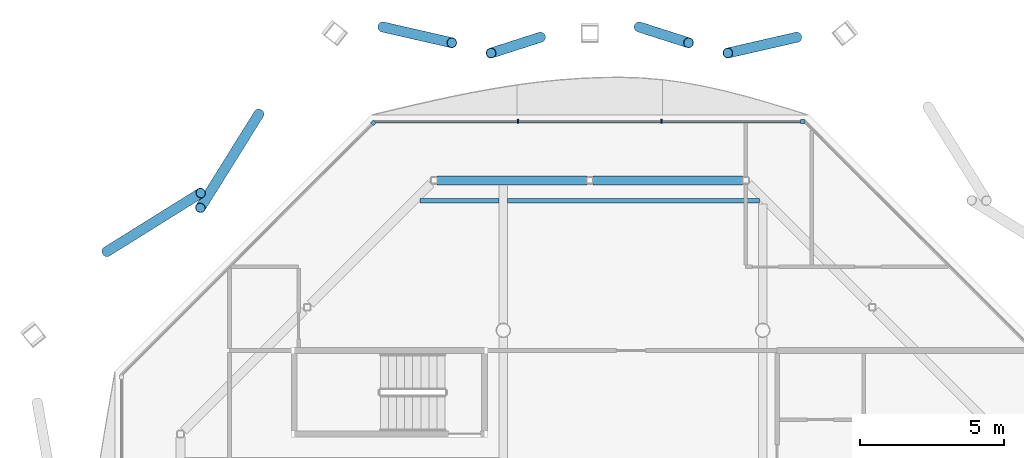
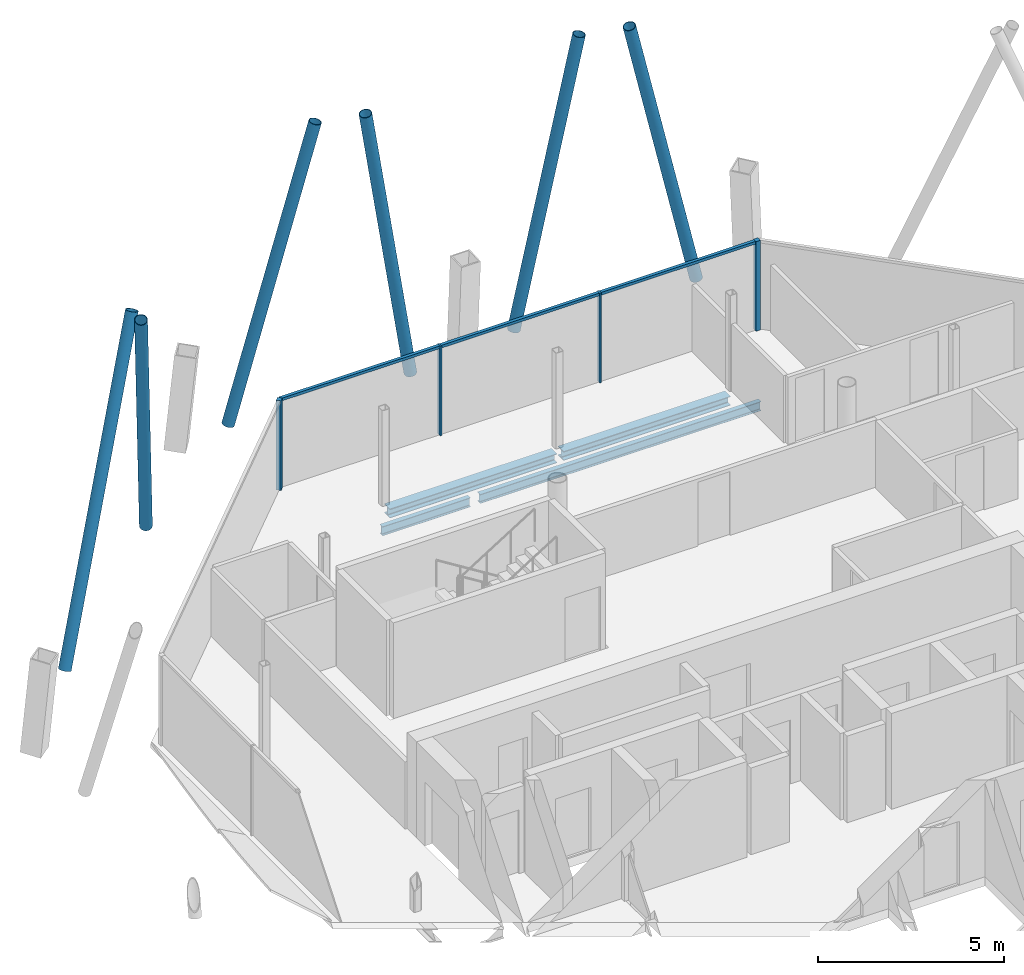
# One storey, part 8 of 14: 13 members, 4 beams, 2 elements without a shape of their own.
"""IFC4 building model written with IfcOpenShell, lengths in metres."""

from ifc_helpers import new_model, si_unit, direction, frame, origin, origin_2d, place, context, subcontext, project, spatial, rectangle, hollow_circle, i_section, extrude, material, material_profile, profile_set, type_object, element, aggregate, save


model = new_model("IFC4")

# Units and contexts
model_context = context("Model", 3, precision=1e-05, world=origin(), true_north=direction((0.0, 1.0)))
body_context = subcontext(model_context, "Body", "Model", "MODEL_VIEW")
ifc_project = project(units=[si_unit("LENGTHUNIT", "METRE"), si_unit("AREAUNIT", "SQUARE_METRE"), si_unit("VOLUMEUNIT", "CUBIC_METRE"), si_unit("PLANEANGLEUNIT", "RADIAN"), si_unit("MASSUNIT", "GRAM", prefix="KILO")], contexts=[model_context])

# Site, building, storey
site_placement = place(None, origin())
site = spatial("IfcSite", under=ifc_project, at=site_placement, CompositionType="ELEMENT")
building_placement = place(site_placement, origin())
building = spatial("IfcBuilding", under=site, at=building_placement, Name="Tskaro Facet Tower", CompositionType="ELEMENT")
storey_placement = place(building_placement, frame((0.0, 0.0, 268.949951171875)))
storey = spatial("IfcBuildingStorey", under=building, at=storey_placement, Name="L71", CompositionType="ELEMENT", Elevation=268.949951171875)

# Members
ifc_material_1 = material(Name="Steel S355J2H", Category="steel")
ifc_material_profile_1 = material_profile(ifc_material_1, hollow_circle(Radius=0.177734375, WallThickness=0.01611328125, at=origin_2d()), Name="CHS 355.6x16")
ifc_profile_set_1 = profile_set([ifc_material_profile_1], Name="Steel S355J2H")
member_type_1 = type_object("IfcMemberType", Name="CHS 355.6x16 brace", PredefinedType="BRACE", material=ifc_profile_set_1)
member_1_placement = place(storey_placement, frame((10.178955078125, 19.16748046875, 0.0), z_axis=(-0.24510005232, -0.056111458621, 0.967872651005), x_axis=(0.223159622379, -0.974781915579, 0.0)))
element("IfcMember", 1, at=member_1_placement, inside=storey, type_object=member_type_1, Name="CHS 355.6x16 XB07A/6", PredefinedType="BRACE", context=body_context, shape_type="SweptSolid", body=[
    extrude(hollow_circle(Radius=0.177734375, WallThickness=0.01611328125, at=origin_2d()), origin(), (0.0, 0.0, 1.0), 9.763671875),
])
for number, where, z_axis, x_axis, name in (
    (2, (4.71337890625, 19.52294921875, 0.0), (0.178137496923, -0.056925830688, 0.982357614105), (0.304396543442, 0.952545402771, 0.0), "CHS 355.6x16 XB07B/6"),
    (3, (1.28662109375, 19.16748046875, 0.0), (-0.178137239504, -0.056951127717, 0.982356194541), (0.304519670896, -0.952506047245, 0.0), "CHS 355.6x16 XB08A/6"),
):
    element("IfcMember", number, at=place(storey_placement, frame(where, z_axis=z_axis, x_axis=x_axis)), inside=storey, type_object=member_type_1, Name=name, PredefinedType="BRACE", context=body_context, shape_type="SweptSolid", body=[
        extrude(hollow_circle(Radius=0.177734375, WallThickness=0.01611328125, at=origin_2d()), origin(), (0.0, 0.0, 1.0), 9.61962890625),
    ])
member_2_placement = place(storey_placement, frame((-4.178955078125, 19.52294921875, 0.0), z_axis=(0.245100396137, -0.056086532191, 0.967874008702), x_axis=(0.223065124481, 0.974803544434, 0.0)))
element("IfcMember", 4, at=member_2_placement, inside=storey, type_object=member_type_1, Name="CHS 355.6x16 XB08B/6", PredefinedType="BRACE", context=body_context, shape_type="SweptSolid", body=[
    extrude(hollow_circle(Radius=0.177734375, WallThickness=0.01611328125, at=origin_2d()), origin(), (0.0, 0.0, 1.0), 9.763671875),
])
for number, where, z_axis, x_axis, name in (
    (5, (-8.478759765625, 16.507568359375, 0.0), (-0.199244037446, -0.31955632288, 0.926383057946), (0.848569080669, -0.529084601301, 0.0), "CHS 355.6x16 XB09A/6"),
    (6, (-13.759033203125, 11.730224609375, 0.0), (0.31955632288, 0.199244037446, 0.926383057946), (-0.529084601301, 0.848569080669, 0.0), "CHS 355.6x16 XB09B/6"),
):
    element("IfcMember", number, at=place(storey_placement, frame(where, z_axis=z_axis, x_axis=x_axis)), inside=storey, type_object=member_type_1, Name=name, PredefinedType="BRACE", context=body_context, shape_type="SweptSolid", body=[
        extrude(hollow_circle(Radius=0.177734375, WallThickness=0.01611328125, at=origin_2d()), origin(), (0.0, 0.0, 1.0), 10.200927734375),
    ])

# Curtain wall, member
ifc_material_2 = material(Name="Bronze anodised aluminium 6063-T6", Category="aluminium")
curtain_wall_type = type_object("IfcCurtainWallType", Name="Bronze residence curtain wall (FW3)", PredefinedType="NOTDEFINED", material=ifc_material_2)
curtain_wall_1_placement = place(storey_placement, origin())
curtain_wall_1 = element("IfcCurtainWall", 7, at=curtain_wall_1_placement, inside=storey, type_object=curtain_wall_type, Name="FW3 north facet L71", PredefinedType="NOTDEFINED")
ifc_material_profile_2 = material_profile(ifc_material_2, rectangle(XDim=0.139892578125, YDim=0.139892578125, at=origin_2d()), Name="Corner post 140x140")
ifc_profile_set_2 = profile_set([ifc_material_profile_2], Name="Bronze anodised aluminium 6063-T6")
member_type_2 = type_object("IfcMemberType", Name="FW3 bronze corner post 140x140", PredefinedType="MULLION", material=ifc_profile_set_2)
member_3_placement = place(storey_placement, frame((10.386962890625, 16.24609375, 0.0), z_axis=(0.0, 0.0, 1.0), x_axis=(-1.0, 0.0, 0.0)))
member_3 = element("IfcMember", 8, at=member_3_placement, type_object=member_type_2, Name="FW3 north corner post", PredefinedType="MULLION", context=body_context, shape_type="SweptSolid", body=[
    extrude(rectangle(XDim=0.139892578125, YDim=0.139892578125, at=origin_2d()), origin(), (0.0, 0.0, 1.0), 2.949951171875),
])

curtain_wall_2_placement = place(storey_placement, origin())
curtain_wall_2 = element("IfcCurtainWall", 9, at=curtain_wall_2_placement, inside=storey, type_object=curtain_wall_type, Name="FW3 north-west facet L71", PredefinedType="NOTDEFINED")
member_4_placement = place(storey_placement, frame((-4.506591796875, 16.196533203125, 0.0), z_axis=(0.0, 0.0, 1.0), x_axis=(-0.707106781187, -0.707106781187, 0.0)))
member_4 = element("IfcMember", 10, at=member_4_placement, type_object=member_type_2, Name="FW3 north-west corner post", PredefinedType="MULLION", context=body_context, shape_type="SweptSolid", body=[
    extrude(rectangle(XDim=0.139892578125, YDim=0.139892578125, at=origin_2d()), origin(), (0.0, 0.0, 1.0), 2.949951171875),
])
aggregate(curtain_wall_2, [member_4])

# Member
ifc_material_profile_3 = material_profile(ifc_material_2, rectangle(XDim=0.050048828125, YDim=0.139892578125, at=origin_2d()), Name="Mullion 50x140")
ifc_profile_set_3 = profile_set([ifc_material_profile_3], Name="Bronze anodised aluminium 6063-T6")
member_type_3 = type_object("IfcMemberType", Name="FW3 bronze mullion 50x140", PredefinedType="MULLION", material=ifc_profile_set_3)
member_5_placement = place(storey_placement, frame((5.485595703125, 16.24609375, 0.0), z_axis=(0.0, 0.0, 1.0), x_axis=(-1.0, 0.0, 0.0)))
member_5 = element("IfcMember", 11, at=member_5_placement, type_object=member_type_3, Name="FW3 north mullion 1", PredefinedType="MULLION", context=body_context, shape_type="SweptSolid", body=[
    extrude(rectangle(XDim=0.050048828125, YDim=0.139892578125, at=origin_2d()), origin(), (0.0, 0.0, 1.0), 2.949951171875),
])

member_6_placement = place(storey_placement, frame((0.514404296875, 16.24609375, 0.0), z_axis=(0.0, 0.0, 1.0), x_axis=(-1.0, 0.0, 0.0)))
member_6 = element("IfcMember", 12, at=member_6_placement, type_object=member_type_3, Name="FW3 north mullion 2", PredefinedType="MULLION", context=body_context, shape_type="SweptSolid", body=[
    extrude(rectangle(XDim=0.050048828125, YDim=0.139892578125, at=origin_2d()), origin(), (0.0, 0.0, 1.0), 2.949951171875),
])

ifc_material_profile_4 = material_profile(ifc_material_2, rectangle(XDim=0.10009765625, YDim=0.090087890625, at=origin_2d()), Name="Transom 100x90")
ifc_profile_set_4 = profile_set([ifc_material_profile_4], Name="Bronze anodised aluminium 6063-T6")
member_type_4 = type_object("IfcMemberType", Name="FW3 bronze transom 100x90", PredefinedType="USERDEFINED", material=ifc_profile_set_4)
member_7_placement = place(storey_placement, frame((10.31689453125, 16.24609375, 2.905029296875), z_axis=(-1.0, 0.0, 0.0), x_axis=(0.0, -1.0, 0.0)))
member_7 = element("IfcMember", 13, at=member_7_placement, type_object=member_type_4, Name="FW3 north transom 1.1", ObjectType="TRANSOM", PredefinedType="USERDEFINED", context=body_context, shape_type="SweptSolid", body=[
    extrude(rectangle(XDim=0.10009765625, YDim=0.090087890625, at=origin_2d()), origin(), (0.0, 0.0, 1.0), 4.80615234375),
])

member_8_placement = place(storey_placement, frame((5.460693359375, 16.24609375, 2.905029296875), z_axis=(-1.0, 0.0, 0.0), x_axis=(0.0, -1.0, 0.0)))
member_8 = element("IfcMember", 14, at=member_8_placement, type_object=member_type_4, Name="FW3 north transom 2.1", ObjectType="TRANSOM", PredefinedType="USERDEFINED", context=body_context, shape_type="SweptSolid", body=[
    extrude(rectangle(XDim=0.10009765625, YDim=0.090087890625, at=origin_2d()), origin(), (0.0, 0.0, 1.0), 4.92138671875),
])

member_9_placement = place(storey_placement, frame((0.4892578125, 16.24609375, 2.905029296875), z_axis=(-1.0, 0.0, 0.0), x_axis=(0.0, -1.0, 0.0)))
member_9 = element("IfcMember", 15, at=member_9_placement, type_object=member_type_4, Name="FW3 north transom 3.1", ObjectType="TRANSOM", PredefinedType="USERDEFINED", context=body_context, shape_type="SweptSolid", body=[
    extrude(rectangle(XDim=0.10009765625, YDim=0.090087890625, at=origin_2d()), origin(), (0.0, 0.0, 1.0), 4.9462890625),
])

aggregate(curtain_wall_1, [member_3, member_5, member_6, member_7, member_8, member_9])

# Beams
ifc_material_3 = material(Name="Steel S355J2", Category="steel")
ifc_material_profile_5 = material_profile(ifc_material_3, i_section(OverallWidth=0.300048828125, OverallDepth=0.300048828125, WebThickness=0.010986328125, FlangeThickness=0.01904296875, FilletRadius=0.027099609375, at=origin_2d()), Name="HE 300 B")
ifc_profile_set_5 = profile_set([ifc_material_profile_5], Name="Steel S355J2")
beam_type_1 = type_object("IfcBeamType", Name="HE 300 B ring beam", PredefinedType="BEAM", material=ifc_profile_set_5)
for number, where, z_axis, x_axis, name in (
    (16, (8.298095703125, 14.199951171875, -0.2900390625), (-1.0, 0.0, 0.0), (0.0, -1.0, 0.0), "HE 300 B EB9-6"),
    (17, (2.89501953125, 14.199951171875, -0.2900390625), (-1.0, 0.0, 0.0), (0.0, -1.0, 0.0), "HE 300 B EB10-6"),
):
    element("IfcBeam", number, at=place(storey_placement, frame(where, z_axis=z_axis, x_axis=x_axis)), inside=storey, type_object=beam_type_1, Name=name, PredefinedType="BEAM", context=body_context, shape_type="SweptSolid", body=[
        extrude(i_section(OverallWidth=0.300048828125, OverallDepth=0.300048828125, WebThickness=0.010986328125, FlangeThickness=0.01904296875, FilletRadius=0.027099609375, at=origin_2d()), origin(), (0.0, 0.0, 1.0), 5.193115234375),
    ])
ifc_material_profile_6 = material_profile(ifc_material_3, i_section(OverallWidth=0.14990234375, OverallDepth=0.300048828125, WebThickness=0.007080078125, FlangeThickness=0.0107421875, FilletRadius=0.014892578125, at=origin_2d()), Name="IPE 300")
ifc_profile_set_6 = profile_set([ifc_material_profile_6], Name="Steel S355J2")
beam_type_2 = type_object("IfcBeamType", Name="IPE 300 secondary beam", PredefinedType="BEAM", material=ifc_profile_set_6)
beam_1_placement = place(storey_placement, frame((-2.89111328125, 13.5, -0.2900390625), z_axis=(1.0, 0.0, 0.0), x_axis=(0.0, 1.0, 0.0)))
element("IfcBeam", 18, at=beam_1_placement, inside=storey, type_object=beam_type_2, Name="IPE 300 SB5a-1-6", PredefinedType="BEAM", context=body_context, shape_type="SweptSolid", body=[
    extrude(i_section(OverallWidth=0.14990234375, OverallDepth=0.300048828125, WebThickness=0.007080078125, FlangeThickness=0.0107421875, FilletRadius=0.014892578125, at=origin_2d()), origin(), (0.0, 0.0, 1.0), 2.7412109375),
])
beam_2_placement = place(storey_placement, frame((0.14990234375, 13.5, -0.2900390625), z_axis=(1.0, 0.0, 0.0), x_axis=(0.0, 1.0, 0.0)))
element("IfcBeam", 19, at=beam_2_placement, inside=storey, type_object=beam_type_2, Name="IPE 300 SB5a-2-6", PredefinedType="BEAM", context=body_context, shape_type="SweptSolid", body=[
    extrude(i_section(OverallWidth=0.14990234375, OverallDepth=0.300048828125, WebThickness=0.007080078125, FlangeThickness=0.0107421875, FilletRadius=0.014892578125, at=origin_2d()), origin(), (0.0, 0.0, 1.0), 8.7412109375),
])

save(model, "model.ifc")
